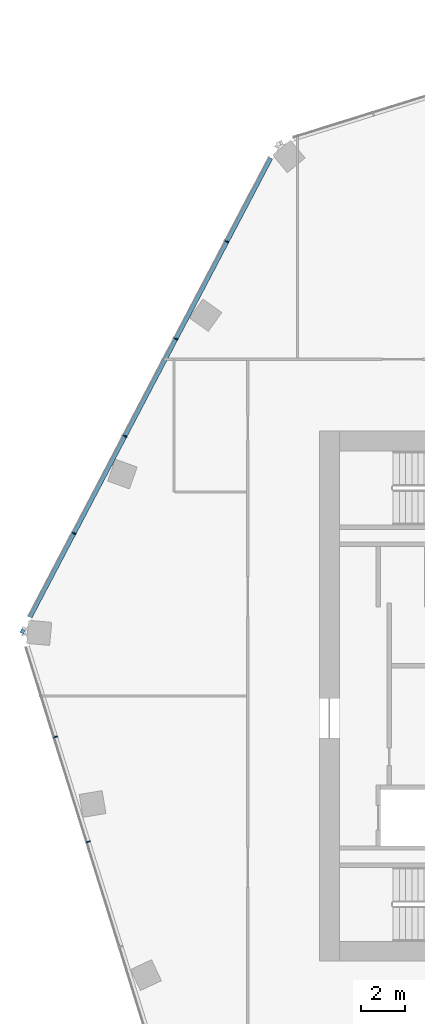
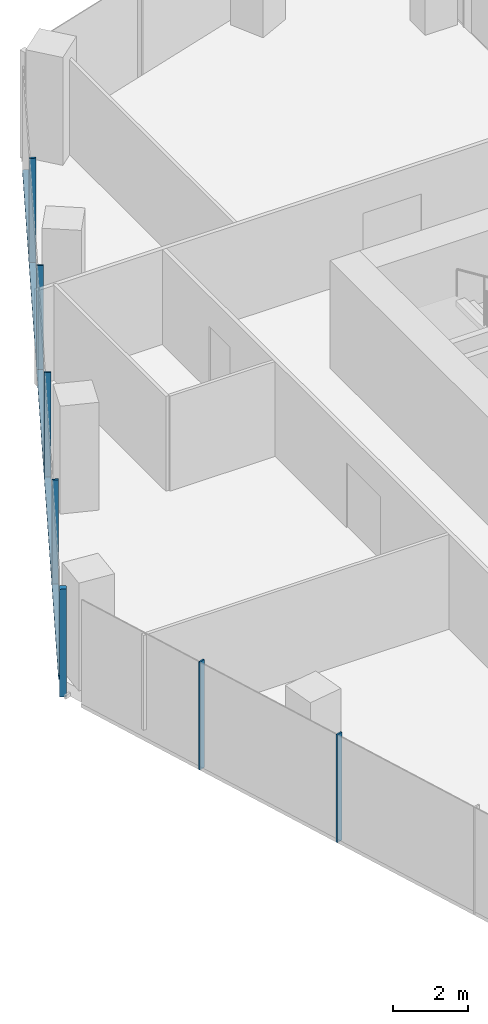
# One storey, part 5 of 23: 8 members, 2 elements without a shape of their own.
"""IFC4 building model written with IfcOpenShell, lengths in metres."""

from ifc_helpers import new_model, si_unit, direction, frame, origin, origin_2d, place, context, subcontext, project, spatial, rectangle, extrude, material, material_profile, profile_set, type_object, element, aggregate, save


model = new_model("IFC4")

# Units and contexts
model_context = context("Model", 3, precision=1e-05, world=origin(), true_north=direction((0.0, 1.0)))
body_context = subcontext(model_context, "Body", "Model", "MODEL_VIEW")
ifc_project = project(units=[si_unit("LENGTHUNIT", "METRE"), si_unit("AREAUNIT", "SQUARE_METRE"), si_unit("VOLUMEUNIT", "CUBIC_METRE"), si_unit("PLANEANGLEUNIT", "RADIAN"), si_unit("MASSUNIT", "GRAM", prefix="KILO")], contexts=[model_context])

# Site, building, storey
site_placement = place(None, origin())
site = spatial("IfcSite", under=ifc_project, at=site_placement, CompositionType="ELEMENT")
building_placement = place(site_placement, origin())
building = spatial("IfcBuilding", under=site, at=building_placement, Name="Orlundy Tower", CompositionType="ELEMENT")
storey_placement = place(building_placement, frame((0.0, 0.0, 260.5)))
storey = spatial("IfcBuildingStorey", under=building, at=storey_placement, Name="L69", CompositionType="ELEMENT", Elevation=260.5)

# Curtain wall, member
ifc_material_1 = material(Name="Aluminium bronze anodised", Category="aluminium")
curtain_wall_type = type_object("IfcCurtainWallType", Name="CW1 wall", PredefinedType="NOTDEFINED", material=ifc_material_1)
curtain_wall_1_placement = place(storey_placement, origin())
curtain_wall_1 = element("IfcCurtainWall", 1, at=curtain_wall_1_placement, inside=storey, type_object=curtain_wall_type, Name="CW1 run 02", PredefinedType="NOTDEFINED")
ifc_material_2 = material(Name="Aluminium bronze anodised", Category="aluminium")
ifc_material_profile_1 = material_profile(ifc_material_2, rectangle(XDim=0.179931640625, YDim=0.179931640625, at=origin_2d()), Name="CW1 corner post 180x180")
ifc_profile_set_1 = profile_set([ifc_material_profile_1], Name="Aluminium bronze anodised")
member_type_1 = type_object("IfcMemberType", Name="CW1 corner post 180x180", PredefinedType="MULLION", material=ifc_profile_set_1)
member_1_placement = place(storey_placement, frame((-32.43701171875, 2.932861328125, -0.39990234375), z_axis=(0.0, 0.0, 1.0), x_axis=(-0.885658998646, 0.464336233904, 0.0)))
member_1 = element("IfcMember", 2, at=member_1_placement, type_object=member_type_1, Name="CW1 mullion 8", PredefinedType="MULLION", context=body_context, shape_type="SweptSolid", body=[
    extrude(rectangle(XDim=0.179931640625, YDim=0.179931640625, at=origin_2d()), origin(), (0.0, 0.0, 1.0), 3.5),
])

# Curtain wall, members
curtain_wall_2_placement = place(storey_placement, origin())
curtain_wall_2 = element("IfcCurtainWall", 3, at=curtain_wall_2_placement, inside=storey, type_object=curtain_wall_type, Name="CW1 run 01", PredefinedType="NOTDEFINED")
ifc_material_3 = material(Name="Aluminium bronze anodised", Category="aluminium")
ifc_material_profile_2 = material_profile(ifc_material_3, rectangle(XDim=0.179931640625, YDim=0.050048828125, at=origin_2d()), Name="CW1 mullion 50x180")
ifc_profile_set_2 = profile_set([ifc_material_profile_2], Name="Aluminium bronze anodised")
member_type_2 = type_object("IfcMemberType", Name="CW1 mullion 50x180", PredefinedType="MULLION", material=ifc_profile_set_2)
member_2_placement = place(storey_placement, frame((-29.4638671875, -6.592529296875, -0.39990234375), z_axis=(0.0, 0.0, 1.0), x_axis=(-0.954580158408, -0.297954226643, 0.0)))
member_2 = element("IfcMember", 4, at=member_2_placement, type_object=member_type_2, Name="CW1 mullion 6", PredefinedType="MULLION", context=body_context, shape_type="SweptSolid", body=[
    extrude(rectangle(XDim=0.179931640625, YDim=0.050048828125, at=origin_2d()), origin(), (0.0, 0.0, 1.0), 3.5),
])
member_3_placement = place(storey_placement, frame((-30.94482421875, -1.84765625, -0.39990234375), z_axis=(0.0, 0.0, 1.0), x_axis=(-0.954580158408, -0.297954226643, 0.0)))
member_3 = element("IfcMember", 5, at=member_3_placement, type_object=member_type_2, Name="CW1 mullion 7", PredefinedType="MULLION", context=body_context, shape_type="SweptSolid", body=[
    extrude(rectangle(XDim=0.179931640625, YDim=0.050048828125, at=origin_2d()), origin(), (0.0, 0.0, 1.0), 3.5),
])
aggregate(curtain_wall_2, [member_2, member_3])

# Member
member_4_placement = place(storey_placement, frame((-30.11181640625, 7.367919921875, -0.39990234375), z_axis=(0.0, 0.0, 1.0), x_axis=(-0.885658998646, 0.464336233904, 0.0)))
member_4 = element("IfcMember", 6, at=member_4_placement, type_object=member_type_2, Name="CW1 mullion 9", PredefinedType="MULLION", context=body_context, shape_type="SweptSolid", body=[
    extrude(rectangle(XDim=0.179931640625, YDim=0.050048828125, at=origin_2d()), origin(), (0.0, 0.0, 1.0), 3.5),
])

member_5_placement = place(storey_placement, frame((-27.8037109375, 11.770263671875, -0.39990234375), z_axis=(0.0, 0.0, 1.0), x_axis=(-0.885658998646, 0.464336233904, 0.0)))
member_5 = element("IfcMember", 7, at=member_5_placement, type_object=member_type_2, Name="CW1 mullion 10", PredefinedType="MULLION", context=body_context, shape_type="SweptSolid", body=[
    extrude(rectangle(XDim=0.179931640625, YDim=0.050048828125, at=origin_2d()), origin(), (0.0, 0.0, 1.0), 3.5),
])

member_6_placement = place(storey_placement, frame((-25.49560546875, 16.17236328125, -0.39990234375), z_axis=(0.0, 0.0, 1.0), x_axis=(-0.885658998646, 0.464336233904, 0.0)))
member_6 = element("IfcMember", 8, at=member_6_placement, type_object=member_type_2, Name="CW1 mullion 11", PredefinedType="MULLION", context=body_context, shape_type="SweptSolid", body=[
    extrude(rectangle(XDim=0.179931640625, YDim=0.050048828125, at=origin_2d()), origin(), (0.0, 0.0, 1.0), 3.5),
])

member_7_placement = place(storey_placement, frame((-23.187744140625, 20.57470703125, -0.39990234375), z_axis=(0.0, 0.0, 1.0), x_axis=(-0.885658998646, 0.464336233904, 0.0)))
member_7 = element("IfcMember", 9, at=member_7_placement, type_object=member_type_2, Name="CW1 mullion 12", PredefinedType="MULLION", context=body_context, shape_type="SweptSolid", body=[
    extrude(rectangle(XDim=0.179931640625, YDim=0.050048828125, at=origin_2d()), origin(), (0.0, 0.0, 1.0), 3.5),
])

ifc_material_4 = material(Name="Aluminium bronze anodised", Category="aluminium")
ifc_material_profile_3 = material_profile(ifc_material_4, rectangle(XDim=0.179931640625, YDim=0.1201171875, at=origin_2d()), Name="CW1 transom 180x120")
ifc_profile_set_3 = profile_set([ifc_material_profile_3], Name="Aluminium bronze anodised")
member_type_3 = type_object("IfcMemberType", Name="CW1 transom 180x120", PredefinedType="USERDEFINED", material=ifc_profile_set_3)
member_8_placement = place(storey_placement, frame((-32.097412109375, 3.580322265625, -0.340087890625), z_axis=(0.464330802245, 0.885661846353, 0.0), x_axis=(-0.885661846353, 0.464330802245, 0.0)))
member_8 = element("IfcMember", 10, at=member_8_placement, type_object=member_type_3, Name="CW1 transom", ObjectType="TRANSOM", PredefinedType="USERDEFINED", context=body_context, shape_type="SweptSolid", body=[
    extrude(rectangle(XDim=0.179931640625, YDim=0.1201171875, at=origin_2d()), origin(), (0.0, 0.0, 1.0), 23.466064453125),
])

aggregate(curtain_wall_1, [member_1, member_4, member_5, member_6, member_7, member_8])

save(model, "model.ifc")
